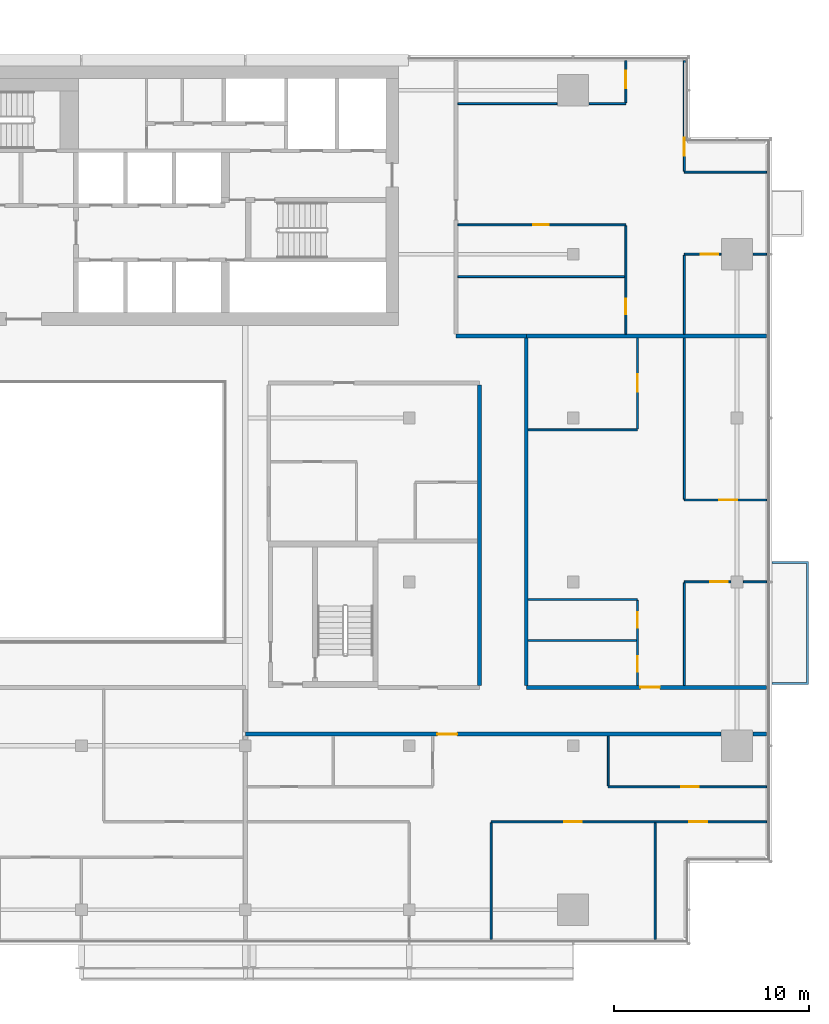
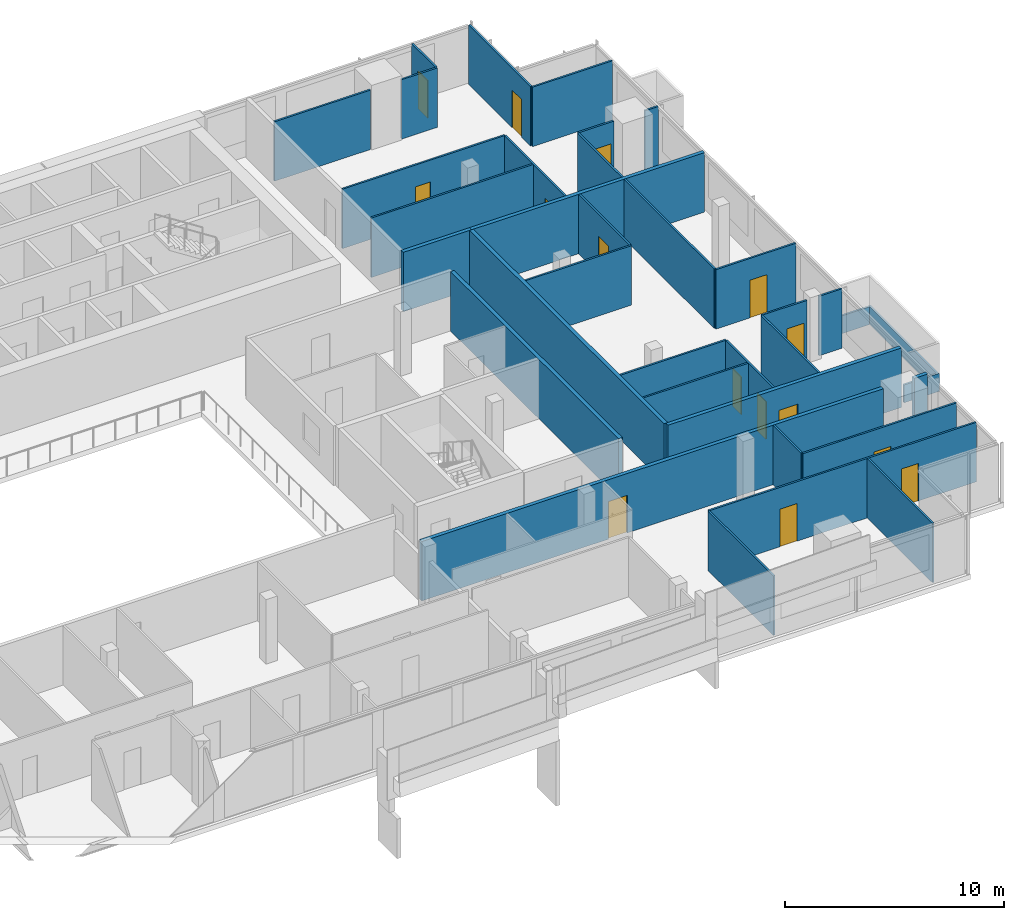
# One storey, part 23 of 27: 34 walls, 15 doors, 15 openings.
"""IFC4 building model written with IfcOpenShell, lengths in metres."""

from ifc_helpers import new_model, si_unit, direction, frame, frame_2d, origin, place, context, subcontext, project, spatial, polyline, rectangle, outline, extrude, material, layer, layer_set, type_object, element, fill, save


model = new_model("IFC4")

# Units and contexts
model_context = context("Model", 3, precision=1e-05, world=origin(), true_north=direction((0.0, 1.0)))
body_context = subcontext(model_context, "Body", "Model", "MODEL_VIEW")
ifc_project = project(units=[si_unit("LENGTHUNIT", "METRE"), si_unit("AREAUNIT", "SQUARE_METRE"), si_unit("VOLUMEUNIT", "CUBIC_METRE"), si_unit("PLANEANGLEUNIT", "RADIAN"), si_unit("MASSUNIT", "GRAM", prefix="KILO")], contexts=[model_context])

# Site, building, storey
site_placement = place(None, origin())
site = spatial("IfcSite", under=ifc_project, at=site_placement, CompositionType="ELEMENT")
building_placement = place(site_placement, origin())
building = spatial("IfcBuilding", under=site, at=building_placement, Name="Saffron Gate Tower", CompositionType="ELEMENT")
storey_placement = place(building_placement, frame((0.0, 0.0, 234.300048828125)))
storey = spatial("IfcBuildingStorey", under=building, at=storey_placement, Name="L57", CompositionType="ELEMENT", Elevation=234.300048828125)

# Wall, openings, doors
ifc_material_1 = material(Name="Plasterboard on steel studs", Category="steel")
ifc_layer_1 = layer(ifc_material_1, 0.10009765625)
ifc_layer_set_1 = layer_set([ifc_layer_1], Name="PW1 Partition 100")
wall_type_1 = type_object("IfcWallType", Name="PW1 Partition 100", PredefinedType="PARTITIONING", material=ifc_layer_set_1)
wall_1_placement = place(storey_placement, frame((126.919921875, 36.300048828125, 0.0), z_axis=(0.0, 0.0, 1.0), x_axis=(-1.0, 0.0, 0.0)))
wall_1 = element("IfcWall", 1, at=wall_1_placement, inside=storey, type_object=wall_type_1, Name="Partition D3-5", PredefinedType="PARTITIONING", context=body_context, shape_type="SweptSolid", body=[
    extrude(rectangle(XDim=14.119873046875, YDim=0.10009765625, at=frame_2d((7.06005859375, 0.0))), origin(), (0.0, 0.0, 1.0), 3.320068359375),
])
opening_1_placement = place(wall_1_placement, frame((3.0576171875, 0.0, 0.0)))
opening_1 = element("IfcOpeningElement", 2, at=opening_1_placement, cuts=wall_1, Name="Opening D3-23", PredefinedType="OPENING", context=body_context, shape_type="SweptSolid", body=[
    extrude(rectangle(XDim=0.89990234375, YDim=2.10009765625, at=frame_2d((0.449951171875, 1.050048828125))), frame((0.0, 0.06005859375, 0.0), z_axis=(0.0, -1.0, 0.0), x_axis=(1.0, 0.0, 0.0)), (0.0, 0.0, 1.0), 0.1201171875),
])
opening_2_placement = place(wall_1_placement, frame((9.469970703125, 0.0, 0.0)))
opening_2 = element("IfcOpeningElement", 3, at=opening_2_placement, cuts=wall_1, Name="Opening D3-22", PredefinedType="OPENING", context=body_context, shape_type="SweptSolid", body=[
    extrude(rectangle(XDim=0.89990234375, YDim=2.10009765625, at=frame_2d((0.449951171875, 1.050048828125))), frame((0.0, 0.06005859375, 0.0), z_axis=(0.0, -1.0, 0.0), x_axis=(1.0, 0.0, 0.0)), (0.0, 0.0, 1.0), 0.1201171875),
])
ifc_material_2 = material(Name="Timber door set", Category="wood")
door_type_1 = type_object("IfcDoorType", Name="RD1 Room door 900x2100", OperationType="NOTDEFINED", PredefinedType="DOOR", material=ifc_material_2)
door_1_placement = place(opening_1_placement, origin())
door_1 = element("IfcDoor", 4, at=door_1_placement, inside=storey, type_object=door_type_1, Name="Door D3-23", OperationType="SINGLE_SWING_RIGHT", OverallHeight=2.10009765625, OverallWidth=0.89990234375, PredefinedType="DOOR", context=body_context, shape_type="SweptSolid", body=[
    extrude(rectangle(XDim=0.89990234375, YDim=2.10009765625, at=frame_2d((0.449951171875, 1.050048828125))), frame((0.0, 0.02490234375, 0.0), z_axis=(0.0, -1.0, 0.0), x_axis=(1.0, 0.0, 0.0)), (0.0, 0.0, 1.0), 0.050048828125),
])
fill(opening_1, door_1)
door_2_placement = place(opening_2_placement, origin())
door_2 = element("IfcDoor", 5, at=door_2_placement, inside=storey, type_object=door_type_1, Name="Door D3-22", OperationType="SINGLE_SWING_RIGHT", OverallHeight=2.10009765625, OverallWidth=0.89990234375, PredefinedType="DOOR", context=body_context, shape_type="SweptSolid", body=[
    extrude(rectangle(XDim=0.89990234375, YDim=2.10009765625, at=frame_2d((0.449951171875, 1.050048828125))), frame((0.0, 0.02490234375, 0.0), z_axis=(0.0, -1.0, 0.0), x_axis=(1.0, 0.0, 0.0)), (0.0, 0.0, 1.0), 0.050048828125),
])
fill(opening_2, door_2)

# Wall, opening, door
wall_2_placement = place(storey_placement, frame((118.800048828125, 38.10009765625, 0.0), z_axis=(0.0, 0.0, 1.0), x_axis=(1.0, 0.0, 0.0)))
wall_2 = element("IfcWall", 6, at=wall_2_placement, inside=storey, type_object=wall_type_1, Name="Partition D3-7", PredefinedType="PARTITIONING", context=body_context, shape_type="SweptSolid", body=[
    extrude(rectangle(XDim=8.119873046875, YDim=0.10009765625, at=frame_2d((4.06005859375, 0.0))), origin(), (0.0, 0.0, 1.0), 3.320068359375),
])
opening_3_placement = place(wall_2_placement, frame((3.75, 0.0, 0.0)))
opening_3 = element("IfcOpeningElement", 7, at=opening_3_placement, cuts=wall_2, Name="Opening D3-24", PredefinedType="OPENING", context=body_context, shape_type="SweptSolid", body=[
    extrude(rectangle(XDim=0.89990234375, YDim=2.10009765625, at=frame_2d((0.449951171875, 1.050048828125))), frame((0.0, 0.06005859375, 0.0), z_axis=(0.0, -1.0, 0.0), x_axis=(1.0, 0.0, 0.0)), (0.0, 0.0, 1.0), 0.1201171875),
])
door_3_placement = place(opening_3_placement, origin())
door_3 = element("IfcDoor", 8, at=door_3_placement, inside=storey, type_object=door_type_1, Name="Door D3-24", OperationType="SINGLE_SWING_RIGHT", OverallHeight=2.10009765625, OverallWidth=0.89990234375, PredefinedType="DOOR", context=body_context, shape_type="SweptSolid", body=[
    extrude(rectangle(XDim=0.89990234375, YDim=2.10009765625, at=frame_2d((0.449951171875, 1.050048828125))), frame((0.0, 0.02490234375, 0.0), z_axis=(0.0, -1.0, 0.0), x_axis=(1.0, 0.0, 0.0)), (0.0, 0.0, 1.0), 0.050048828125),
])
fill(opening_3, door_3)

# Walls
wall_3_placement = place(storey_placement, frame((114.699951171875, 45.60009765625, 0.0), z_axis=(0.0, 0.0, 1.0), x_axis=(1.0, 0.0, 0.0)))
element("IfcWall", 9, at=wall_3_placement, inside=storey, type_object=wall_type_1, Name="Partition D3-17", PredefinedType="PARTITIONING", context=body_context, shape_type="SweptSolid", body=[
    extrude(rectangle(XDim=5.550048828125, YDim=0.10009765625, at=frame_2d((2.77490234375, 0.0))), origin(), (0.0, 0.0, 1.0), 3.320068359375),
])
wall_4_placement = place(storey_placement, frame((114.699951171875, 47.699951171875, 0.0), z_axis=(0.0, 0.0, 1.0), x_axis=(1.0, 0.0, 0.0)))
element("IfcWall", 10, at=wall_4_placement, inside=storey, type_object=wall_type_1, Name="Partition D3-18", PredefinedType="PARTITIONING", context=body_context, shape_type="SweptSolid", body=[
    extrude(rectangle(XDim=5.60009765625, YDim=0.10009765625, at=frame_2d((2.800048828125, 0.0))), origin(), (0.0, 0.0, 1.0), 3.320068359375),
])

# Wall, opening, door
wall_5_placement = place(storey_placement, frame((125.080078125, 48.60009765625, 0.0), z_axis=(0.0, 0.0, 1.0), x_axis=(-1.0, 0.0, 0.0)))
wall_5 = element("IfcWall", 11, at=wall_5_placement, inside=storey, type_object=wall_type_1, Name="Partition D3-21", PredefinedType="PARTITIONING", context=body_context, shape_type="SweptSolid", body=[
    extrude(rectangle(XDim=2.380126953125, YDim=0.10009765625, at=frame_2d((1.18994140625, 0.0))), origin(), (0.0, 0.0, 1.0), 3.320068359375),
])
opening_4_placement = place(wall_5_placement, frame((0.14990234375, 0.0, 0.0)))
opening_4 = element("IfcOpeningElement", 12, at=opening_4_placement, cuts=wall_5, Name="Opening D3-31", PredefinedType="OPENING", context=body_context, shape_type="SweptSolid", body=[
    extrude(rectangle(XDim=0.89990234375, YDim=2.10009765625, at=frame_2d((0.449951171875, 1.050048828125))), frame((0.0, 0.06005859375, 0.0), z_axis=(0.0, -1.0, 0.0), x_axis=(1.0, 0.0, 0.0)), (0.0, 0.0, 1.0), 0.1201171875),
])
door_4_placement = place(opening_4_placement, origin())
door_4 = element("IfcDoor", 13, at=door_4_placement, inside=storey, type_object=door_type_1, Name="Door D3-31", OperationType="SINGLE_SWING_LEFT", OverallHeight=2.10009765625, OverallWidth=0.89990234375, PredefinedType="DOOR", context=body_context, shape_type="SweptSolid", body=[
    extrude(rectangle(XDim=0.89990234375, YDim=2.10009765625, at=frame_2d((0.449951171875, 1.050048828125))), frame((0.0, 0.02490234375, 0.0), z_axis=(0.0, -1.0, 0.0), x_axis=(1.0, 0.0, 0.0)), (0.0, 0.0, 1.0), 0.050048828125),
])
fill(opening_4, door_4)

# Wall
wall_6_placement = place(storey_placement, frame((125.719970703125, 48.60009765625, 0.0), z_axis=(0.0, 0.0, 1.0), x_axis=(1.0, 0.0, 0.0)))
element("IfcWall", 14, at=wall_6_placement, inside=storey, type_object=wall_type_1, Name="Partition D3-22", PredefinedType="PARTITIONING", context=body_context, shape_type="SweptSolid", body=[
    extrude(rectangle(XDim=1.199951171875, YDim=0.10009765625, at=frame_2d((0.60009765625, 0.0))), origin(), (0.0, 0.0, 1.0), 3.320068359375),
])

# Wall, opening, door
wall_7_placement = place(storey_placement, frame((122.699951171875, 52.800048828125, 0.0), z_axis=(0.0, 0.0, 1.0), x_axis=(1.0, 0.0, 0.0)))
wall_7 = element("IfcWall", 15, at=wall_7_placement, inside=storey, type_object=wall_type_1, Name="Partition D3-28", PredefinedType="PARTITIONING", context=body_context, shape_type="SweptSolid", body=[
    extrude(rectangle(XDim=4.219970703125, YDim=0.10009765625, at=frame_2d((2.10986328125, 0.0))), origin(), (0.0, 0.0, 1.0), 3.320068359375),
])
opening_5_placement = place(wall_7_placement, frame((1.800048828125, 0.0, 0.0)))
opening_5 = element("IfcOpeningElement", 16, at=opening_5_placement, cuts=wall_7, Name="Opening D3-32", PredefinedType="OPENING", context=body_context, shape_type="SweptSolid", body=[
    extrude(rectangle(XDim=0.89990234375, YDim=2.10009765625, at=frame_2d((0.449951171875, 1.050048828125))), frame((0.0, 0.06005859375, 0.0), z_axis=(0.0, -1.0, 0.0), x_axis=(1.0, 0.0, 0.0)), (0.0, 0.0, 1.0), 0.1201171875),
])
door_5_placement = place(opening_5_placement, origin())
door_5 = element("IfcDoor", 17, at=door_5_placement, inside=storey, type_object=door_type_1, Name="Door D3-32", OperationType="SINGLE_SWING_RIGHT", OverallHeight=2.10009765625, OverallWidth=0.89990234375, PredefinedType="DOOR", context=body_context, shape_type="SweptSolid", body=[
    extrude(rectangle(XDim=0.89990234375, YDim=2.10009765625, at=frame_2d((0.449951171875, 1.050048828125))), frame((0.0, 0.02490234375, 0.0), z_axis=(0.0, -1.0, 0.0), x_axis=(1.0, 0.0, 0.0)), (0.0, 0.0, 1.0), 0.050048828125),
])
fill(opening_5, door_5)

# Walls
wall_8_placement = place(storey_placement, frame((114.699951171875, 56.39306640625, 0.0), z_axis=(0.0, 0.0, 1.0), x_axis=(1.0, 0.0, 0.0)))
element("IfcWall", 18, at=wall_8_placement, inside=storey, type_object=wall_type_1, Name="Partition D3-34", PredefinedType="PARTITIONING", context=body_context, shape_type="SweptSolid", body=[
    extrude(rectangle(XDim=5.60009765625, YDim=0.10009765625, at=frame_2d((2.800048828125, 0.0))), origin(), (0.0, 0.0, 1.0), 3.320068359375),
])
wall_9_placement = place(storey_placement, frame((111.10009765625, 64.24609375, 0.0), z_axis=(0.0, 0.0, 1.0), x_axis=(1.0, 0.0, 0.0)))
element("IfcWall", 19, at=wall_9_placement, inside=storey, type_object=wall_type_1, Name="Partition D3-42", PredefinedType="PARTITIONING", context=body_context, shape_type="SweptSolid", body=[
    extrude(rectangle(XDim=8.5498046875, YDim=0.10009765625, at=frame_2d((4.27490234375, 0.0))), origin(), (0.0, 0.0, 1.0), 3.320068359375),
])

# Wall, opening, door
wall_10_placement = place(storey_placement, frame((124.580078125, 65.39990234375, 0.0), z_axis=(0.0, 0.0, 1.0), x_axis=(-1.0, 0.0, 0.0)))
wall_10 = element("IfcWall", 20, at=wall_10_placement, inside=storey, type_object=wall_type_1, Name="Partition D3-43", PredefinedType="PARTITIONING", context=body_context, shape_type="SweptSolid", body=[
    extrude(rectangle(XDim=1.880126953125, YDim=0.10009765625, at=frame_2d((0.93994140625, 0.0))), origin(), (0.0, 0.0, 1.0), 3.320068359375),
])
opening_6_placement = place(wall_10_placement, frame((0.14990234375, 0.0, 0.0)))
opening_6 = element("IfcOpeningElement", 21, at=opening_6_placement, cuts=wall_10, Name="Opening D3-34", PredefinedType="OPENING", context=body_context, shape_type="SweptSolid", body=[
    extrude(rectangle(XDim=0.89990234375, YDim=2.10009765625, at=frame_2d((0.449951171875, 1.050048828125))), frame((0.0, 0.06005859375, 0.0), z_axis=(0.0, -1.0, 0.0), x_axis=(1.0, 0.0, 0.0)), (0.0, 0.0, 1.0), 0.1201171875),
])
door_6_placement = place(opening_6_placement, origin())
door_6 = element("IfcDoor", 22, at=door_6_placement, inside=storey, type_object=door_type_1, Name="Door D3-34", OperationType="SINGLE_SWING_LEFT", OverallHeight=2.10009765625, OverallWidth=0.89990234375, PredefinedType="DOOR", context=body_context, shape_type="SweptSolid", body=[
    extrude(rectangle(XDim=0.89990234375, YDim=2.10009765625, at=frame_2d((0.449951171875, 1.050048828125))), frame((0.0, 0.02490234375, 0.0), z_axis=(0.0, -1.0, 0.0), x_axis=(1.0, 0.0, 0.0)), (0.0, 0.0, 1.0), 0.050048828125),
])
fill(opening_6, door_6)

# Wall
wall_11_placement = place(storey_placement, frame((126.219970703125, 65.39990234375, 0.0), z_axis=(0.0, 0.0, 1.0), x_axis=(1.0, 0.0, 0.0)))
element("IfcWall", 23, at=wall_11_placement, inside=storey, type_object=wall_type_1, Name="Partition D3-44", PredefinedType="PARTITIONING", context=body_context, shape_type="SweptSolid", body=[
    extrude(rectangle(XDim=0.699951171875, YDim=0.10009765625, at=frame_2d((0.35009765625, 0.0))), origin(), (0.0, 0.0, 1.0), 3.320068359375),
])

# Wall, opening, door
wall_12_placement = place(storey_placement, frame((119.699951171875, 66.89990234375, 0.0), z_axis=(0.0, 0.0, 1.0), x_axis=(-1.0, 0.0, 0.0)))
wall_12 = element("IfcWall", 24, at=wall_12_placement, inside=storey, type_object=wall_type_1, Name="Partition D3-46", PredefinedType="PARTITIONING", context=body_context, shape_type="SweptSolid", body=[
    extrude(rectangle(XDim=8.599853515625, YDim=0.10009765625, at=frame_2d((4.2998046875, 0.0))), origin(), (0.0, 0.0, 1.0), 3.320068359375),
])
opening_7_placement = place(wall_12_placement, frame((3.949951171875, 0.0, 0.0)))
opening_7 = element("IfcOpeningElement", 25, at=opening_7_placement, cuts=wall_12, Name="Opening D3-51", PredefinedType="OPENING", context=body_context, shape_type="SweptSolid", body=[
    extrude(rectangle(XDim=0.800048828125, YDim=2.10009765625, at=frame_2d((0.39990234375, 1.050048828125))), frame((0.0, 0.06005859375, 0.0), z_axis=(0.0, -1.0, 0.0), x_axis=(1.0, 0.0, 0.0)), (0.0, 0.0, 1.0), 0.1201171875),
])
door_type_2 = type_object("IfcDoorType", Name="RD2 Bathroom door 800x2100", OperationType="NOTDEFINED", PredefinedType="DOOR", material=ifc_material_2)
door_7_placement = place(opening_7_placement, origin())
door_7 = element("IfcDoor", 26, at=door_7_placement, inside=storey, type_object=door_type_2, Name="Door D3-51", OperationType="SINGLE_SWING_RIGHT", OverallHeight=2.10009765625, OverallWidth=0.800048828125, PredefinedType="DOOR", context=body_context, shape_type="SweptSolid", body=[
    extrude(rectangle(XDim=0.800048828125, YDim=2.10009765625, at=frame_2d((0.39990234375, 1.050048828125))), frame((0.0, 0.02490234375, 0.0), z_axis=(0.0, -1.0, 0.0), x_axis=(1.0, 0.0, 0.0)), (0.0, 0.0, 1.0), 0.050048828125),
])
fill(opening_7, door_7)

# Walls
wall_13_placement = place(storey_placement, frame((122.699951171875, 69.60009765625, 0.0), z_axis=(0.0, 0.0, 1.0), x_axis=(1.0, 0.0, 0.0)))
element("IfcWall", 27, at=wall_13_placement, inside=storey, type_object=wall_type_1, Name="Partition D3-49", PredefinedType="PARTITIONING", context=body_context, shape_type="SweptSolid", body=[
    extrude(rectangle(XDim=4.219970703125, YDim=0.10009765625, at=frame_2d((2.10986328125, 0.0))), origin(), (0.0, 0.0, 1.0), 3.320068359375),
])
wall_14_placement = place(storey_placement, frame((111.10009765625, 73.112548828125, 0.0), z_axis=(0.0, 0.0, 1.0), x_axis=(1.0, 0.0, 0.0)))
element("IfcWall", 28, at=wall_14_placement, inside=storey, type_object=wall_type_1, Name="Partition D3-53", PredefinedType="PARTITIONING", context=body_context, shape_type="SweptSolid", body=[
    extrude(rectangle(XDim=5.079833984375, YDim=0.10009765625, at=frame_2d((2.5400390625, 0.0))), origin(), (0.0, 0.0, 1.0), 3.320068359375),
])
wall_15_placement = place(storey_placement, frame((117.820068359375, 73.112548828125, 0.0), z_axis=(0.0, 0.0, 1.0), x_axis=(1.0, 0.0, 0.0)))
element("IfcWall", 29, at=wall_15_placement, inside=storey, type_object=wall_type_1, Name="Partition D3-54", PredefinedType="PARTITIONING", context=body_context, shape_type="SweptSolid", body=[
    extrude(rectangle(XDim=1.8798828125, YDim=0.10009765625, at=frame_2d((0.93994140625, 0.0))), origin(), (0.0, 0.0, 1.0), 3.320068359375),
])
wall_16_placement = place(storey_placement, frame((112.800048828125, 36.25, 0.0), z_axis=(0.0, 0.0, 1.0), x_axis=(0.0, -1.0, 0.0)))
element("IfcWall", 30, at=wall_16_placement, inside=storey, type_object=wall_type_1, Name="Partition D3-104", PredefinedType="PARTITIONING", context=body_context, shape_type="SweptSolid", body=[
    extrude(rectangle(XDim=5.969970703125, YDim=0.10009765625, at=frame_2d((2.98486328125, 0.0))), origin(), (0.0, 0.0, 1.0), 3.320068359375),
])
wall_17_placement = place(storey_placement, frame((118.800048828125, 40.699951171875, 0.0), z_axis=(0.0, 0.0, 1.0), x_axis=(0.0, -1.0, 0.0)))
element("IfcWall", 31, at=wall_17_placement, inside=storey, type_object=wall_type_1, Name="Partition D3-106", PredefinedType="PARTITIONING", context=body_context, shape_type="SweptSolid", body=[
    extrude(rectangle(XDim=2.550048828125, YDim=0.10009765625, at=frame_2d((1.27490234375, 0.0))), origin(), (0.0, 0.0, 1.0), 3.320068359375),
])

# Wall, opening, door
wall_18_placement = place(storey_placement, frame((119.699951171875, 61.300048828125, 0.0), z_axis=(0.0, 0.0, 1.0), x_axis=(0.0, 1.0, 0.0)))
wall_18 = element("IfcWall", 32, at=wall_18_placement, inside=storey, type_object=wall_type_1, Name="Partition D3-107", PredefinedType="PARTITIONING", context=body_context, shape_type="SweptSolid", body=[
    extrude(rectangle(XDim=5.550048828125, YDim=0.10009765625, at=frame_2d((2.77490234375, 0.0))), origin(), (0.0, 0.0, 1.0), 3.320068359375),
])
opening_8_placement = place(wall_18_placement, frame((1.02294921875, 0.0, 0.0)))
opening_8 = element("IfcOpeningElement", 33, at=opening_8_placement, cuts=wall_18, Name="Opening D3-50", PredefinedType="OPENING", context=body_context, shape_type="SweptSolid", body=[
    extrude(rectangle(XDim=0.800048828125, YDim=2.10009765625, at=frame_2d((0.39990234375, 1.050048828125))), frame((0.0, 0.06005859375, 0.0), z_axis=(0.0, -1.0, 0.0), x_axis=(1.0, 0.0, 0.0)), (0.0, 0.0, 1.0), 0.1201171875),
])
door_8_placement = place(opening_8_placement, origin())
door_8 = element("IfcDoor", 34, at=door_8_placement, inside=storey, type_object=door_type_2, Name="Door D3-50", OperationType="SINGLE_SWING_LEFT", OverallHeight=2.10009765625, OverallWidth=0.800048828125, PredefinedType="DOOR", context=body_context, shape_type="SweptSolid", body=[
    extrude(rectangle(XDim=0.800048828125, YDim=2.10009765625, at=frame_2d((0.39990234375, 1.050048828125))), frame((0.0, 0.02490234375, 0.0), z_axis=(0.0, -1.0, 0.0), x_axis=(1.0, 0.0, 0.0)), (0.0, 0.0, 1.0), 0.050048828125),
])
fill(opening_8, door_8)

wall_19_placement = place(storey_placement, frame((119.699951171875, 73.16259765625, 0.0), z_axis=(0.0, 0.0, 1.0), x_axis=(0.0, 1.0, 0.0)))
wall_19 = element("IfcWall", 35, at=wall_19_placement, inside=storey, type_object=wall_type_1, Name="Partition D3-108", PredefinedType="PARTITIONING", context=body_context, shape_type="SweptSolid", body=[
    extrude(rectangle(XDim=2.157470703125, YDim=0.10009765625, at=frame_2d((1.07861328125, 0.0))), origin(), (0.0, 0.0, 1.0), 3.320068359375),
])
opening_9_placement = place(wall_19_placement, frame((0.74365234375, 0.0, 0.0)))
opening_9 = element("IfcOpeningElement", 36, at=opening_9_placement, cuts=wall_19, Name="Opening D3-36", PredefinedType="OPENING", context=body_context, shape_type="SweptSolid", body=[
    extrude(rectangle(XDim=0.89990234375, YDim=2.10009765625, at=frame_2d((0.449951171875, 1.050048828125))), frame((0.0, 0.06005859375, 0.0), z_axis=(0.0, -1.0, 0.0), x_axis=(1.0, 0.0, 0.0)), (0.0, 0.0, 1.0), 0.1201171875),
])
door_9_placement = place(opening_9_placement, origin())
door_9 = element("IfcDoor", 37, at=door_9_placement, inside=storey, type_object=door_type_1, Name="Door D3-36", OperationType="SINGLE_SWING_RIGHT", OverallHeight=2.10009765625, OverallWidth=0.89990234375, PredefinedType="DOOR", context=body_context, shape_type="SweptSolid", body=[
    extrude(rectangle(XDim=0.89990234375, YDim=2.10009765625, at=frame_2d((0.449951171875, 1.050048828125))), frame((0.0, 0.02490234375, 0.0), z_axis=(0.0, -1.0, 0.0), x_axis=(1.0, 0.0, 0.0)), (0.0, 0.0, 1.0), 0.050048828125),
])
fill(opening_9, door_9)

# Wall, openings, doors
wall_20_placement = place(storey_placement, frame((120.300048828125, 43.300048828125, 0.0), z_axis=(0.0, 0.0, 1.0), x_axis=(0.0, 1.0, 0.0)))
wall_20 = element("IfcWall", 38, at=wall_20_placement, inside=storey, type_object=wall_type_1, Name="Partition D3-109", PredefinedType="PARTITIONING", context=body_context, shape_type="SweptSolid", body=[
    extrude(rectangle(XDim=4.349853515625, YDim=0.10009765625, at=frame_2d((2.1748046875, 0.0))), origin(), (0.0, 0.0, 1.0), 3.320068359375),
])
opening_10_placement = place(wall_20_placement, frame((0.699951171875, 0.0, 0.0)))
opening_10 = element("IfcOpeningElement", 39, at=opening_10_placement, cuts=wall_20, Name="Opening D3-48", PredefinedType="OPENING", context=body_context, shape_type="SweptSolid", body=[
    extrude(rectangle(XDim=0.800048828125, YDim=2.10009765625, at=frame_2d((0.39990234375, 1.050048828125))), frame((0.0, 0.06005859375, 0.0), z_axis=(0.0, -1.0, 0.0), x_axis=(1.0, 0.0, 0.0)), (0.0, 0.0, 1.0), 0.1201171875),
])
opening_11_placement = place(wall_20_placement, frame((2.949951171875, 0.0, 0.0)))
opening_11 = element("IfcOpeningElement", 40, at=opening_11_placement, cuts=wall_20, Name="Opening D3-49", PredefinedType="OPENING", context=body_context, shape_type="SweptSolid", body=[
    extrude(rectangle(XDim=0.800048828125, YDim=2.10009765625, at=frame_2d((0.39990234375, 1.050048828125))), frame((0.0, 0.06005859375, 0.0), z_axis=(0.0, -1.0, 0.0), x_axis=(1.0, 0.0, 0.0)), (0.0, 0.0, 1.0), 0.1201171875),
])
door_10_placement = place(opening_10_placement, origin())
door_10 = element("IfcDoor", 41, at=door_10_placement, inside=storey, type_object=door_type_2, Name="Door D3-48", OperationType="SINGLE_SWING_LEFT", OverallHeight=2.10009765625, OverallWidth=0.800048828125, PredefinedType="DOOR", context=body_context, shape_type="SweptSolid", body=[
    extrude(rectangle(XDim=0.800048828125, YDim=2.10009765625, at=frame_2d((0.39990234375, 1.050048828125))), frame((0.0, 0.02490234375, 0.0), z_axis=(0.0, -1.0, 0.0), x_axis=(1.0, 0.0, 0.0)), (0.0, 0.0, 1.0), 0.050048828125),
])
fill(opening_10, door_10)
door_11_placement = place(opening_11_placement, origin())
door_11 = element("IfcDoor", 42, at=door_11_placement, inside=storey, type_object=door_type_2, Name="Door D3-49", OperationType="SINGLE_SWING_RIGHT", OverallHeight=2.10009765625, OverallWidth=0.800048828125, PredefinedType="DOOR", context=body_context, shape_type="SweptSolid", body=[
    extrude(rectangle(XDim=0.800048828125, YDim=2.10009765625, at=frame_2d((0.39990234375, 1.050048828125))), frame((0.0, 0.02490234375, 0.0), z_axis=(0.0, -1.0, 0.0), x_axis=(1.0, 0.0, 0.0)), (0.0, 0.0, 1.0), 0.050048828125),
])
fill(opening_11, door_11)

# Wall, opening, door
wall_21_placement = place(storey_placement, frame((120.300048828125, 56.443115234375, 0.0), z_axis=(0.0, 0.0, 1.0), x_axis=(0.0, 1.0, 0.0)))
wall_21 = element("IfcWall", 43, at=wall_21_placement, inside=storey, type_object=wall_type_1, Name="Partition D3-110", PredefinedType="PARTITIONING", context=body_context, shape_type="SweptSolid", body=[
    extrude(rectangle(XDim=4.656982421875, YDim=0.10009765625, at=frame_2d((2.32861328125, 0.0))), origin(), (0.0, 0.0, 1.0), 3.320068359375),
])
opening_12_placement = place(wall_21_placement, frame((1.903564453125, 0.0, 0.0)))
opening_12 = element("IfcOpeningElement", 44, at=opening_12_placement, cuts=wall_21, Name="Opening D3-33", PredefinedType="OPENING", context=body_context, shape_type="SweptSolid", body=[
    extrude(rectangle(XDim=0.89990234375, YDim=2.10009765625, at=frame_2d((0.449951171875, 1.050048828125))), frame((0.0, 0.06005859375, 0.0), z_axis=(0.0, -1.0, 0.0), x_axis=(1.0, 0.0, 0.0)), (0.0, 0.0, 1.0), 0.1201171875),
])
door_12_placement = place(opening_12_placement, origin())
door_12 = element("IfcDoor", 45, at=door_12_placement, inside=storey, type_object=door_type_1, Name="Door D3-33", OperationType="SINGLE_SWING_RIGHT", OverallHeight=2.10009765625, OverallWidth=0.89990234375, PredefinedType="DOOR", context=body_context, shape_type="SweptSolid", body=[
    extrude(rectangle(XDim=0.89990234375, YDim=2.10009765625, at=frame_2d((0.449951171875, 1.050048828125))), frame((0.0, 0.02490234375, 0.0), z_axis=(0.0, -1.0, 0.0), x_axis=(1.0, 0.0, 0.0)), (0.0, 0.0, 1.0), 0.050048828125),
])
fill(opening_12, door_12)

# Walls
wall_22_placement = place(storey_placement, frame((121.199951171875, 36.25, 0.0), z_axis=(0.0, 0.0, 1.0), x_axis=(0.0, -1.0, 0.0)))
element("IfcWall", 46, at=wall_22_placement, inside=storey, type_object=wall_type_1, Name="Partition D3-111", PredefinedType="PARTITIONING", context=body_context, shape_type="SweptSolid", body=[
    extrude(rectangle(XDim=5.969970703125, YDim=0.10009765625, at=frame_2d((2.98486328125, 0.0))), origin(), (0.0, 0.0, 1.0), 3.320068359375),
])
wall_23_placement = place(storey_placement, frame((122.699951171875, 48.550048828125, 0.0), z_axis=(0.0, 0.0, 1.0), x_axis=(0.0, -1.0, 0.0)))
element("IfcWall", 47, at=wall_23_placement, inside=storey, type_object=wall_type_1, Name="Partition D3-112", PredefinedType="PARTITIONING", context=body_context, shape_type="SweptSolid", body=[
    extrude(rectangle(XDim=5.25, YDim=0.10009765625, at=frame_2d((2.625, 0.0))), origin(), (0.0, 0.0, 1.0), 3.320068359375),
])

# Wall, opening, door
wall_24_placement = place(storey_placement, frame((122.699951171875, 75.320068359375, 0.0), z_axis=(0.0, 0.0, 1.0), x_axis=(0.0, -1.0, 0.0)))
wall_24 = element("IfcWall", 48, at=wall_24_placement, inside=storey, type_object=wall_type_1, Name="Partition D3-113", PredefinedType="PARTITIONING", context=body_context, shape_type="SweptSolid", body=[
    extrude(rectangle(XDim=5.670166015625, YDim=0.10009765625, at=frame_2d((2.8349609375, 0.0))), origin(), (0.0, 0.0, 1.0), 3.320068359375),
])
opening_13_placement = place(wall_24_placement, frame((3.96630859375, 0.0, 0.0)))
opening_13 = element("IfcOpeningElement", 49, at=opening_13_placement, cuts=wall_24, Name="Opening D3-35", PredefinedType="OPENING", context=body_context, shape_type="SweptSolid", body=[
    extrude(rectangle(XDim=0.89990234375, YDim=2.10009765625, at=frame_2d((0.449951171875, 1.050048828125))), frame((0.0, 0.06005859375, 0.0), z_axis=(0.0, -1.0, 0.0), x_axis=(1.0, 0.0, 0.0)), (0.0, 0.0, 1.0), 0.1201171875),
])
door_13_placement = place(opening_13_placement, origin())
door_13 = element("IfcDoor", 50, at=door_13_placement, inside=storey, type_object=door_type_1, Name="Door D3-35", OperationType="SINGLE_SWING_RIGHT", OverallHeight=2.10009765625, OverallWidth=0.89990234375, PredefinedType="DOOR", context=body_context, shape_type="SweptSolid", body=[
    extrude(rectangle(XDim=0.89990234375, YDim=2.10009765625, at=frame_2d((0.449951171875, 1.050048828125))), frame((0.0, 0.02490234375, 0.0), z_axis=(0.0, -1.0, 0.0), x_axis=(1.0, 0.0, 0.0)), (0.0, 0.0, 1.0), 0.050048828125),
])
fill(opening_13, door_13)

# Walls
wall_25_placement = place(storey_placement, frame((122.699951171875, 61.10009765625, 0.0), z_axis=(0.0, 0.0, 1.0), x_axis=(0.0, -1.0, 0.0)))
element("IfcWall", 51, at=wall_25_placement, inside=storey, type_object=wall_type_1, Name="Partition D3-118", PredefinedType="PARTITIONING", context=body_context, shape_type="SweptSolid", body=[
    extrude(rectangle(XDim=8.25, YDim=0.10009765625, at=frame_2d((4.125, 0.0))), origin(), (0.0, 0.0, 1.0), 3.320068359375),
])
wall_26_placement = place(storey_placement, frame((122.699951171875, 65.35009765625, 0.0), z_axis=(0.0, 0.0, 1.0), x_axis=(0.0, -1.0, 0.0)))
element("IfcWall", 52, at=wall_26_placement, inside=storey, type_object=wall_type_1, Name="Partition D3-119", PredefinedType="PARTITIONING", context=body_context, shape_type="SweptSolid", body=[
    extrude(rectangle(XDim=4.050048828125, YDim=0.10009765625, at=frame_2d((2.02490234375, 0.0))), origin(), (0.0, 0.0, 1.0), 3.320068359375),
])
ifc_material_3 = material(Name="Clay brick masonry, rendered", Category="masonry")
ifc_layer_2 = layer(ifc_material_3, 0.199951171875)
ifc_layer_set_2 = layer_set([ifc_layer_2], Name="PW2 Demising wall 200")
wall_type_2 = type_object("IfcWallType", Name="PW2 Demising wall 200", PredefinedType="PARTITIONING", material=ifc_layer_set_2)
wall_27_placement = place(storey_placement, frame((114.60009765625, 61.199951171875, 0.0), z_axis=(0.0, 0.0, 1.0), x_axis=(1.0, 0.0, 0.0)))
element("IfcWall", 53, at=wall_27_placement, inside=storey, type_object=wall_type_2, Name="Wall D3-41", PredefinedType="PARTITIONING", context=body_context, shape_type="SweptSolid", body=[
    extrude(rectangle(XDim=12.31982421875, YDim=0.199951171875, at=frame_2d((6.159912109375, 0.0))), origin(), (0.0, 0.0, 1.0), 3.320068359375),
])

# Wall, opening, door
ifc_layer_3 = layer(ifc_material_3, 0.199951171875)
ifc_layer_set_3 = layer_set([ifc_layer_3], Name="PW3 Corridor wall 200")
wall_type_3 = type_object("IfcWallType", Name="PW3 Corridor wall 200", PredefinedType="PARTITIONING", material=ifc_layer_set_3)
wall_28_placement = place(storey_placement, frame((124.580078125, 40.800048828125, 0.0), z_axis=(0.0, 0.0, 1.0), x_axis=(-1.0, 0.0, 0.0)))
wall_28 = element("IfcWall", 54, at=wall_28_placement, inside=storey, type_object=wall_type_3, Name="Wall D3-10", PredefinedType="PARTITIONING", context=body_context, shape_type="SweptSolid", body=[
    extrude(rectangle(XDim=24.380126953125, YDim=0.199951171875, at=frame_2d((12.18994140625, 0.0))), origin(), (0.0, 0.0, 1.0), 3.320068359375),
])
opening_14_placement = place(wall_28_placement, frame((13.530029296875, 0.0, 0.0)))
opening_14 = element("IfcOpeningElement", 55, at=opening_14_placement, cuts=wall_28, Name="Opening D3-3", PredefinedType="OPENING", context=body_context, shape_type="SweptSolid", body=[
    extrude(rectangle(XDim=1.0, YDim=2.10009765625, at=frame_2d((0.5, 1.050048828125))), frame((0.0, 0.10986328125, 0.0), z_axis=(0.0, -1.0, 0.0), x_axis=(1.0, 0.0, 0.0)), (0.0, 0.0, 1.0), 0.219970703125),
])
ifc_material_4 = material(Name="Timber fire door set", Category="wood")
door_type_3 = type_object("IfcDoorType", Name="FD1 Flat entry door 1000x2100", OperationType="NOTDEFINED", PredefinedType="DOOR", material=ifc_material_4)
door_14_placement = place(opening_14_placement, origin())
door_14 = element("IfcDoor", 56, at=door_14_placement, inside=storey, type_object=door_type_3, Name="Door D3-3", OperationType="SINGLE_SWING_RIGHT", OverallHeight=2.10009765625, OverallWidth=1.0, PredefinedType="DOOR", context=body_context, shape_type="SweptSolid", body=[
    extrude(rectangle(XDim=1.0, YDim=2.10009765625, at=frame_2d((0.5, 1.050048828125))), frame((0.0, 0.02490234375, 0.0), z_axis=(0.0, -1.0, 0.0), x_axis=(1.0, 0.0, 0.0)), (0.0, 0.0, 1.0), 0.050048828125),
])
fill(opening_14, door_14)

# Wall
wall_29_placement = place(storey_placement, frame((126.219970703125, 40.800048828125, 0.0), z_axis=(0.0, 0.0, 1.0), x_axis=(1.0, 0.0, 0.0)))
element("IfcWall", 57, at=wall_29_placement, inside=storey, type_object=wall_type_3, Name="Wall D3-11", PredefinedType="PARTITIONING", context=body_context, shape_type="SweptSolid", body=[
    extrude(rectangle(XDim=0.699951171875, YDim=0.199951171875, at=frame_2d((0.35009765625, 0.0))), origin(), (0.0, 0.0, 1.0), 3.320068359375),
])

# Wall, opening, door
wall_30_placement = place(storey_placement, frame((114.60009765625, 43.199951171875, 0.0), z_axis=(0.0, 0.0, 1.0), x_axis=(1.0, 0.0, 0.0)))
wall_30 = element("IfcWall", 58, at=wall_30_placement, inside=storey, type_object=wall_type_3, Name="Wall D3-16", PredefinedType="PARTITIONING", context=body_context, shape_type="SweptSolid", body=[
    extrude(rectangle(XDim=12.31982421875, YDim=0.199951171875, at=frame_2d((6.159912109375, 0.0))), origin(), (0.0, 0.0, 1.0), 3.320068359375),
])
opening_15_placement = place(wall_30_placement, frame((5.85009765625, 0.0, 0.0)))
opening_15 = element("IfcOpeningElement", 59, at=opening_15_placement, cuts=wall_30, Name="Opening D3-6", PredefinedType="OPENING", context=body_context, shape_type="SweptSolid", body=[
    extrude(rectangle(XDim=1.0, YDim=2.10009765625, at=frame_2d((0.5, 1.050048828125))), frame((0.0, 0.10986328125, 0.0), z_axis=(0.0, -1.0, 0.0), x_axis=(1.0, 0.0, 0.0)), (0.0, 0.0, 1.0), 0.219970703125),
])
door_15_placement = place(opening_15_placement, origin())
door_15 = element("IfcDoor", 60, at=door_15_placement, inside=storey, type_object=door_type_3, Name="Door D3-6", OperationType="SINGLE_SWING_LEFT", OverallHeight=2.10009765625, OverallWidth=1.0, PredefinedType="DOOR", context=body_context, shape_type="SweptSolid", body=[
    extrude(rectangle(XDim=1.0, YDim=2.10009765625, at=frame_2d((0.5, 1.050048828125))), frame((0.0, 0.02490234375, 0.0), z_axis=(0.0, -1.0, 0.0), x_axis=(1.0, 0.0, 0.0)), (0.0, 0.0, 1.0), 0.050048828125),
])
fill(opening_15, door_15)

# Walls
wall_31_placement = place(storey_placement, frame((111.0, 61.199951171875, 0.0), z_axis=(0.0, 0.0, 1.0), x_axis=(1.0, 0.0, 0.0)))
element("IfcWall", 61, at=wall_31_placement, inside=storey, type_object=wall_type_3, Name="Wall D3-39", PredefinedType="PARTITIONING", context=body_context, shape_type="SweptSolid", body=[
    extrude(rectangle(XDim=3.60009765625, YDim=0.199951171875, at=frame_2d((1.800048828125, 0.0))), origin(), (0.0, 0.0, 1.0), 3.320068359375),
])
wall_32_placement = place(storey_placement, frame((112.199951171875, 58.699951171875, 0.0), z_axis=(0.0, 0.0, 1.0), x_axis=(0.0, -1.0, 0.0)))
element("IfcWall", 62, at=wall_32_placement, inside=storey, type_object=wall_type_3, Name="Wall D3-103", PredefinedType="PARTITIONING", context=body_context, shape_type="SweptSolid", body=[
    extrude(rectangle(XDim=15.39990234375, YDim=0.199951171875, at=frame_2d((7.699951171875, 0.0))), origin(), (0.0, 0.0, 1.0), 3.320068359375),
])
wall_33_placement = place(storey_placement, frame((114.60009765625, 61.10009765625, 0.0), z_axis=(0.0, 0.0, 1.0), x_axis=(0.0, -1.0, 0.0)))
element("IfcWall", 63, at=wall_33_placement, inside=storey, type_object=wall_type_3, Name="Wall D3-105", PredefinedType="PARTITIONING", context=body_context, shape_type="SweptSolid", body=[
    extrude(rectangle(XDim=17.800048828125, YDim=0.199951171875, at=frame_2d((8.89990234375, 0.0))), origin(), (0.0, 0.0, 1.0), 3.320068359375),
])
ifc_material_5 = material(Name="Rendered insulated panel, white")
ifc_layer_4 = layer(ifc_material_5, 0.10009765625)
ifc_layer_set_4 = layer_set([ifc_layer_4], Name="WB3 box parapet white")
wall_type_4 = type_object("IfcWallType", Name="WB3 box parapet white", PredefinedType="SOLIDWALL", material=ifc_layer_set_4)
wall_34_placement = place(storey_placement, origin())
element("IfcWall", 64, at=wall_34_placement, inside=storey, type_object=wall_type_4, Name="WINDOW BOX parapet", PredefinedType="SOLIDWALL", context=body_context, shape_type="SweptSolid", body=[
    extrude(outline(polyline([(127.199951171875, 43.35009765625), (127.199951171875, 43.449951171875), (128.967041015625, 43.449951171875), (128.967041015625, 49.550048828125), (127.199951171875, 49.550048828125), (127.199951171875, 49.64990234375), (129.06689453125, 49.64990234375), (129.06689453125, 43.35009765625), (127.199951171875, 43.35009765625)])), origin(), (0.0, 0.0, 1.0), 1.0),
])

save(model, "model.ifc")
